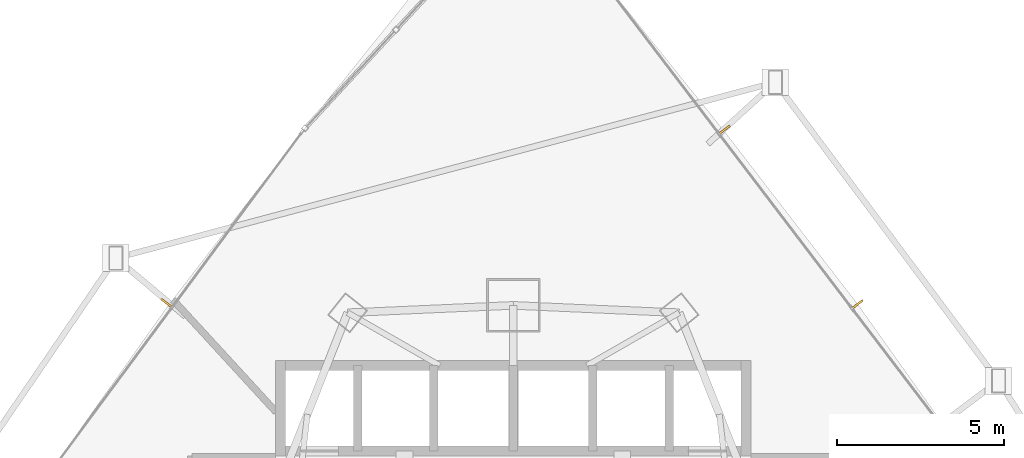
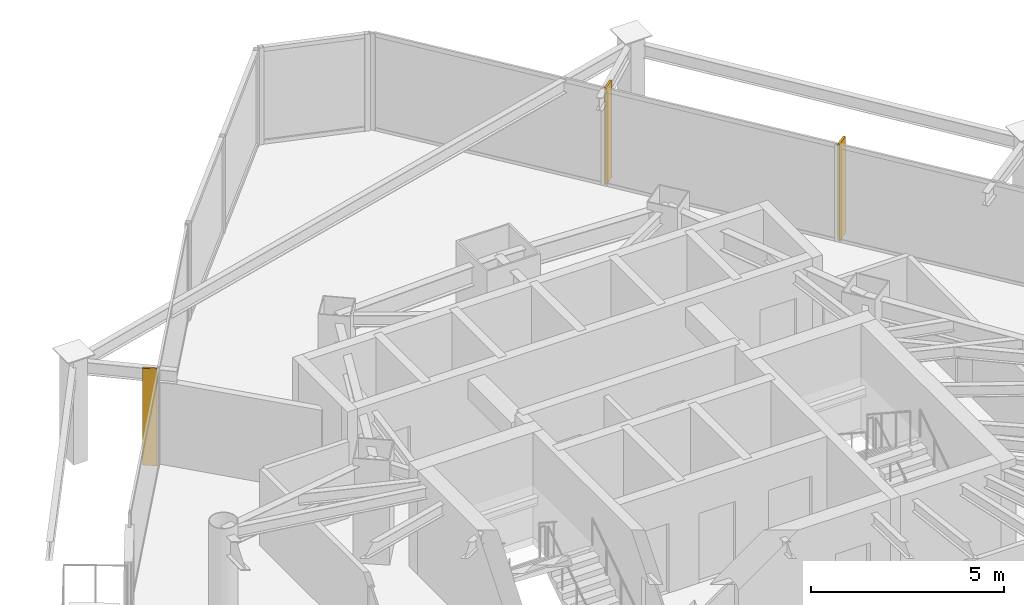
# One storey, part 35 of 35: 3 shading devices.
"""IFC4 building model written with IfcOpenShell, lengths in metres."""

from ifc_helpers import new_model, si_unit, direction, frame, origin, origin_2d, place, context, subcontext, project, spatial, rectangle, extrude, material, layer, layer_set, type_object, element, save


model = new_model("IFC4")

# Units and contexts
model_context = context("Model", 3, precision=1e-05, world=origin(), true_north=direction((0.0, 1.0)))
body_context = subcontext(model_context, "Body", "Model", "MODEL_VIEW")
ifc_project = project(units=[si_unit("LENGTHUNIT", "METRE"), si_unit("AREAUNIT", "SQUARE_METRE"), si_unit("VOLUMEUNIT", "CUBIC_METRE"), si_unit("PLANEANGLEUNIT", "RADIAN"), si_unit("MASSUNIT", "GRAM", prefix="KILO")], contexts=[model_context])

# Site, building, storey
site_placement = place(None, origin())
site = spatial("IfcSite", under=ifc_project, at=site_placement, CompositionType="ELEMENT")
building_placement = place(site_placement, origin())
building = spatial("IfcBuilding", under=site, at=building_placement, Name="Orvanel Arch Residences", CompositionType="ELEMENT")
storey_placement = place(building_placement, frame((0.0, 0.0, 30.199951171875)))
storey = spatial("IfcBuildingStorey", under=building, at=storey_placement, Name="L07", CompositionType="ELEMENT", Elevation=30.199951171875)

# Shading devices
ifc_material = material(Name="Bronze-anodised aluminium AA6063-T6", Category="aluminium")
ifc_layer = layer(ifc_material, 0.06005859375)
ifc_layer_set = layer_set([ifc_layer], Name="Bronze-anodised aluminium AA6063-T6")
shading_device_type = type_object("IfcShadingDeviceType", Name="FIN-BRZ-380", PredefinedType="USERDEFINED", material=ifc_layer_set)
for number, where, z_axis, x_axis, name in (
    (1, (22.635009765625, 41.47412109375, 0.0), (0.0, 0.0, 1.0), (-0.803856860617, 0.594822786751, 0.0), "L07 Anodised Bronze Mullion FIN 01"),
    (2, (43.283935546875, 41.43701171875, 0.0), (0.0, 0.0, 1.0), (0.795473480855, 0.605988400266, 0.0), "L07 Anodised Bronze Mullion FIN 01"),
    (3, (39.31396484375, 46.64990234375, 0.0), (0.0, 0.0, 1.0), (0.795473480855, 0.605988400266, 0.0), "L07 Anodised Bronze Mullion FIN 02"),
):
    element("IfcShadingDevice", number, at=place(storey_placement, frame(where, z_axis=z_axis, x_axis=x_axis)), inside=storey, type_object=shading_device_type, Name=name, ObjectType="FIN", PredefinedType="USERDEFINED", context=body_context, shape_type="SweptSolid", body=[
        extrude(rectangle(XDim=0.3798828125, YDim=0.06005859375, at=origin_2d()), origin(), (0.0, 0.0, 1.0), 3.06005859375),
    ])

save(model, "model.ifc")
